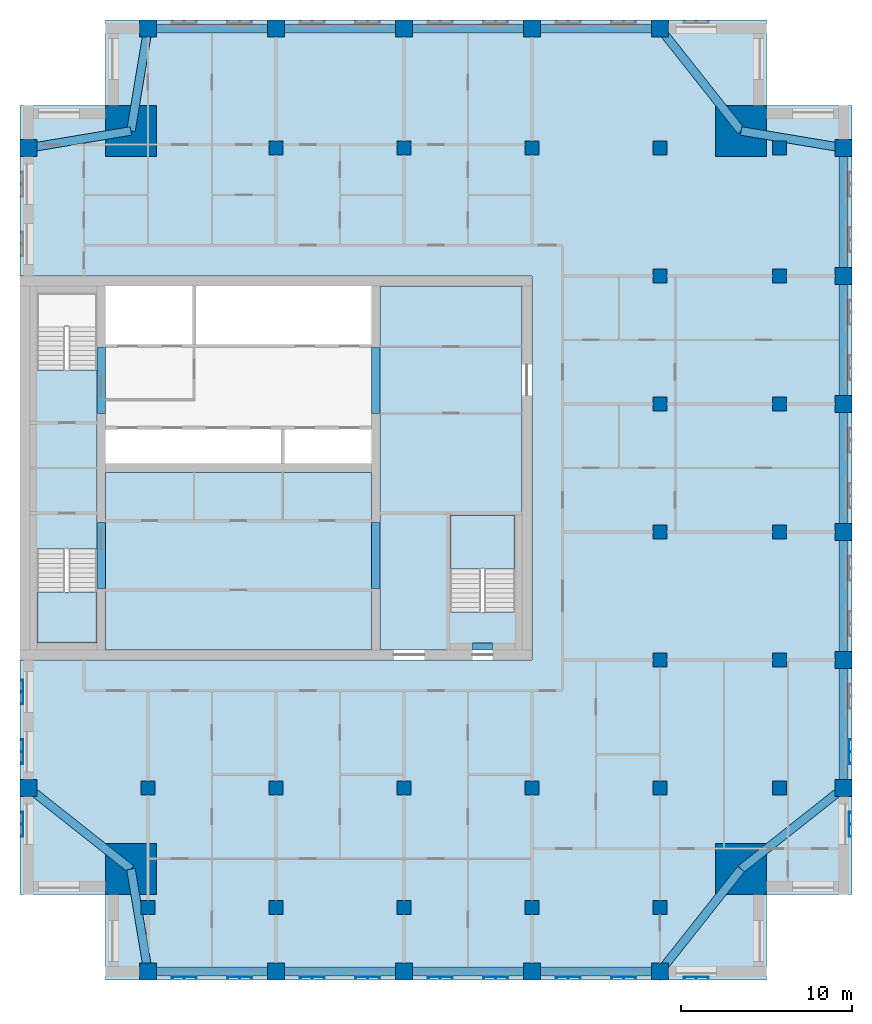
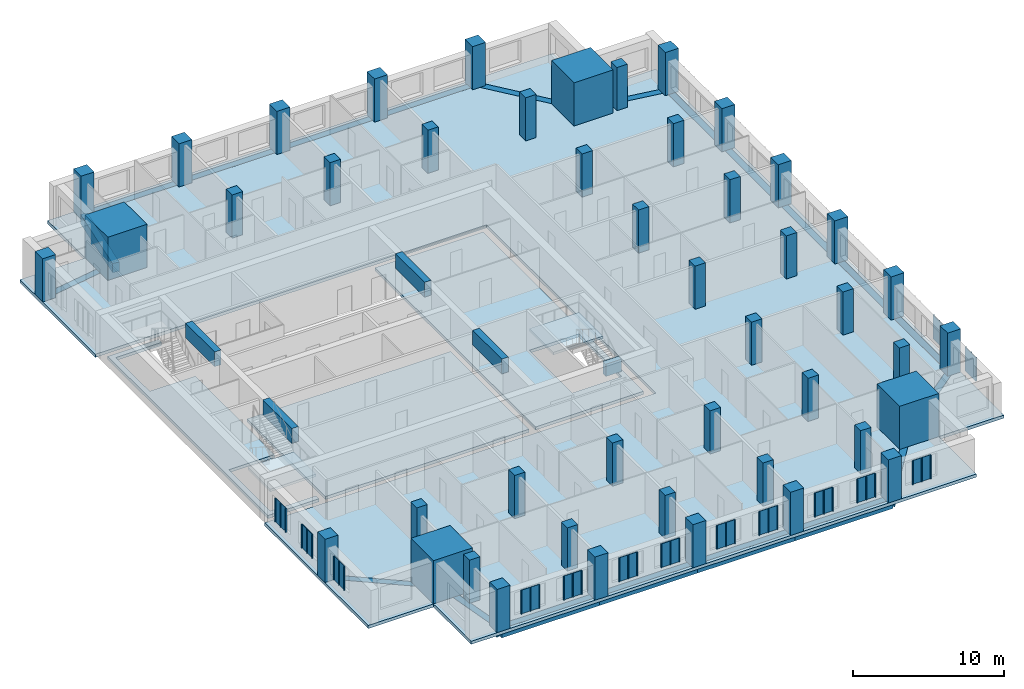
# One storey, part 1 of 11: 46 columns, 26 beams, 14 plates, 6 slabs, 2 elements without a shape of their own.
"""IFC4 building model written with IfcOpenShell, lengths in metres."""

from ifc_helpers import new_model, si_unit, direction, frame, origin, origin_2d, place, context, subcontext, project, spatial, polyline, rectangle, outline, extrude, material, layer, layer_set, material_profile, profile_set, type_object, element, aggregate, save


model = new_model("IFC4")

# Units and contexts
model_context = context("Model", 3, precision=1e-05, world=origin(), true_north=direction((0.0, 1.0)))
body_context = subcontext(model_context, "Body", "Model", "MODEL_VIEW")
ifc_project = project(units=[si_unit("LENGTHUNIT", "METRE"), si_unit("AREAUNIT", "SQUARE_METRE"), si_unit("VOLUMEUNIT", "CUBIC_METRE"), si_unit("PLANEANGLEUNIT", "RADIAN"), si_unit("MASSUNIT", "GRAM", prefix="KILO")], contexts=[model_context])

# Site, building, storey
site_placement = place(None, origin())
site = spatial("IfcSite", under=ifc_project, at=site_placement, CompositionType="ELEMENT")
building_placement = place(site_placement, origin())
building = spatial("IfcBuilding", under=site, at=building_placement, Name="Tamorin Gate", CompositionType="ELEMENT")
storey_placement = place(building_placement, frame((0.0, 0.0, 240.699951171875)))
storey = spatial("IfcBuildingStorey", under=building, at=storey_placement, Name="L60", CompositionType="ELEMENT", Elevation=240.699951171875)

# Columns
ifc_material_1 = material(Name="Concrete C50/60", Category="concrete")
ifc_material_profile_1 = material_profile(ifc_material_1, rectangle(XDim=1.0, YDim=1.0, at=origin_2d()), Name="RC 1000x1000")
ifc_profile_set_1 = profile_set([ifc_material_profile_1], Name="Concrete C50/60")
column_type_1 = type_object("IfcColumnType", Name="RC column 1000x1000 C50/60", PredefinedType="COLUMN", material=ifc_profile_set_1)
for number, where, z_axis, x_axis, name in (
    (1, (37.5, 41.75, 0.0), (0.0, 0.0, 1.0), (1.0, 0.0, 0.0), "Ring column L60"),
    (2, (45.0, 41.75, 0.0), (0.0, 0.0, 1.0), (1.0, 0.0, 0.0), "Ring column L60"),
    (3, (52.5, 41.75, 0.0), (0.0, 0.0, 1.0), (1.0, 0.0, 0.0), "Ring column L60"),
    (4, (60.0, 41.75, 0.0), (0.0, 0.0, 1.0), (1.0, 0.0, 0.0), "Ring column L60"),
    (5, (67.5, 41.75, 0.0), (0.0, 0.0, 1.0), (1.0, 0.0, 0.0), "Ring column L60"),
    (6, (78.25, 52.5, 0.0), (0.0, 0.0, 1.0), (1.0, 0.0, 0.0), "Ring column L60"),
    (7, (78.25, 60.0, 0.0), (0.0, 0.0, 1.0), (1.0, 0.0, 0.0), "Ring column L60"),
    (8, (78.25, 67.5, 0.0), (0.0, 0.0, 1.0), (1.0, 0.0, 0.0), "Ring column L60"),
    (9, (78.25, 75.0, 0.0), (0.0, 0.0, 1.0), (1.0, 0.0, 0.0), "Ring column L60"),
    (10, (78.25, 82.5, 0.0), (0.0, 0.0, 1.0), (1.0, 0.0, 0.0), "Ring column L60"),
    (11, (78.25, 90.0, 0.0), (0.0, 0.0, 1.0), (1.0, 0.0, 0.0), "Ring column L60"),
    (12, (30.5, 52.5, 0.0), (0.0, 0.0, 1.0), (1.0, 0.0, 0.0), "Ring column L60"),
    (13, (30.5, 90.0, 0.0), (0.0, 0.0, 1.0), (1.0, 0.0, 0.0), "Ring column L60"),
    (14, (37.5, 97.0, 0.0), (0.0, 0.0, 1.0), (1.0, 0.0, 0.0), "Ring column L60"),
    (15, (45.0, 97.0, 0.0), (0.0, 0.0, 1.0), (1.0, 0.0, 0.0), "Ring column L60"),
    (16, (52.5, 97.0, 0.0), (0.0, 0.0, 1.0), (1.0, 0.0, 0.0), "Ring column L60"),
    (17, (60.0, 97.0, 0.0), (0.0, 0.0, 1.0), (1.0, 0.0, 0.0), "Ring column L60"),
    (18, (67.5, 97.0, 0.0), (0.0, 0.0, 1.0), (1.0, 0.0, 0.0), "Ring column L60"),
):
    element("IfcColumn", number, at=place(storey_placement, frame(where, z_axis=z_axis, x_axis=x_axis)), inside=storey, type_object=column_type_1, Name=name, PredefinedType="COLUMN", context=body_context, shape_type="SweptSolid", body=[
        extrude(rectangle(XDim=1.0, YDim=1.0, at=origin_2d()), origin(), (0.0, 0.0, 1.0), 3.5),
    ])
ifc_material_profile_2 = material_profile(ifc_material_1, rectangle(XDim=3.0, YDim=3.0, at=origin_2d()), Name="RC 3000x3000")
ifc_profile_set_2 = profile_set([ifc_material_profile_2], Name="Concrete C50/60")
column_type_2 = type_object("IfcColumnType", Name="RC column 3000x3000 C50/60", PredefinedType="COLUMN", material=ifc_profile_set_2)
for number, where, z_axis, x_axis, name in (
    (19, (36.5, 47.75, 0.0), (0.0, 0.0, 1.0), (1.0, 0.0, 0.0), "Mega column SW L60"),
    (20, (72.25, 47.75, 0.0), (0.0, 0.0, 1.0), (1.0, 0.0, 0.0), "Mega column SE L60"),
    (21, (36.5, 91.0, 0.0), (0.0, 0.0, 1.0), (1.0, 0.0, 0.0), "Mega column NW L60"),
    (22, (72.25, 91.0, 0.0), (0.0, 0.0, 1.0), (1.0, 0.0, 0.0), "Mega column NE L60"),
):
    element("IfcColumn", number, at=place(storey_placement, frame(where, z_axis=z_axis, x_axis=x_axis)), inside=storey, type_object=column_type_2, Name=name, PredefinedType="COLUMN", context=body_context, shape_type="SweptSolid", body=[
        extrude(rectangle(XDim=3.0, YDim=3.0, at=origin_2d()), origin(), (0.0, 0.0, 1.0), 3.5),
    ])
ifc_material_profile_3 = material_profile(ifc_material_1, rectangle(XDim=0.800048828125, YDim=0.800048828125, at=origin_2d()), Name="RC 800x800")
ifc_profile_set_3 = profile_set([ifc_material_profile_3], Name="Concrete C50/60")
column_type_3 = type_object("IfcColumnType", Name="RC column 800x800 C50/60", PredefinedType="COLUMN", material=ifc_profile_set_3)
for number, where, z_axis, x_axis, name in (
    (23, (37.5, 45.5, 0.0), (0.0, 0.0, 1.0), (1.0, 0.0, 0.0), "Interior column L60"),
    (24, (37.5, 52.5, 0.0), (0.0, 0.0, 1.0), (1.0, 0.0, 0.0), "Interior column L60"),
    (25, (45.0, 45.5, 0.0), (0.0, 0.0, 1.0), (1.0, 0.0, 0.0), "Interior column L60"),
    (26, (45.0, 52.5, 0.0), (0.0, 0.0, 1.0), (1.0, 0.0, 0.0), "Interior column L60"),
    (27, (45.0, 90.0, 0.0), (0.0, 0.0, 1.0), (1.0, 0.0, 0.0), "Interior column L60"),
    (28, (52.5, 45.5, 0.0), (0.0, 0.0, 1.0), (1.0, 0.0, 0.0), "Interior column L60"),
    (29, (52.5, 52.5, 0.0), (0.0, 0.0, 1.0), (1.0, 0.0, 0.0), "Interior column L60"),
    (30, (52.5, 90.0, 0.0), (0.0, 0.0, 1.0), (1.0, 0.0, 0.0), "Interior column L60"),
    (31, (60.0, 45.5, 0.0), (0.0, 0.0, 1.0), (1.0, 0.0, 0.0), "Interior column L60"),
    (32, (60.0, 52.5, 0.0), (0.0, 0.0, 1.0), (1.0, 0.0, 0.0), "Interior column L60"),
    (33, (60.0, 90.0, 0.0), (0.0, 0.0, 1.0), (1.0, 0.0, 0.0), "Interior column L60"),
    (34, (67.5, 45.5, 0.0), (0.0, 0.0, 1.0), (1.0, 0.0, 0.0), "Interior column L60"),
    (35, (67.5, 52.5, 0.0), (0.0, 0.0, 1.0), (1.0, 0.0, 0.0), "Interior column L60"),
    (36, (67.5, 60.0, 0.0), (0.0, 0.0, 1.0), (1.0, 0.0, 0.0), "Interior column L60"),
    (37, (67.5, 67.5, 0.0), (0.0, 0.0, 1.0), (1.0, 0.0, 0.0), "Interior column L60"),
    (38, (67.5, 75.0, 0.0), (0.0, 0.0, 1.0), (1.0, 0.0, 0.0), "Interior column L60"),
    (39, (67.5, 82.5, 0.0), (0.0, 0.0, 1.0), (1.0, 0.0, 0.0), "Interior column L60"),
    (40, (67.5, 90.0, 0.0), (0.0, 0.0, 1.0), (1.0, 0.0, 0.0), "Interior column L60"),
    (41, (74.5, 52.5, 0.0), (0.0, 0.0, 1.0), (1.0, 0.0, 0.0), "Interior column L60"),
    (42, (74.5, 60.0, 0.0), (0.0, 0.0, 1.0), (1.0, 0.0, 0.0), "Interior column L60"),
    (43, (74.5, 67.5, 0.0), (0.0, 0.0, 1.0), (1.0, 0.0, 0.0), "Interior column L60"),
    (44, (74.5, 75.0, 0.0), (0.0, 0.0, 1.0), (1.0, 0.0, 0.0), "Interior column L60"),
    (45, (74.5, 82.5, 0.0), (0.0, 0.0, 1.0), (1.0, 0.0, 0.0), "Interior column L60"),
    (46, (74.5, 90.0, 0.0), (0.0, 0.0, 1.0), (1.0, 0.0, 0.0), "Interior column L60"),
):
    element("IfcColumn", number, at=place(storey_placement, frame(where, z_axis=z_axis, x_axis=x_axis)), inside=storey, type_object=column_type_3, Name=name, PredefinedType="COLUMN", context=body_context, shape_type="SweptSolid", body=[
        extrude(rectangle(XDim=0.800048828125, YDim=0.800048828125, at=origin_2d()), origin(), (0.0, 0.0, 1.0), 3.5),
    ])

# Beams
ifc_material_profile_4 = material_profile(ifc_material_1, rectangle(XDim=0.5, YDim=1.199951171875, at=origin_2d()), Name="RC 500x1200")
ifc_profile_set_4 = profile_set([ifc_material_profile_4], Name="Concrete C50/60")
beam_type_1 = type_object("IfcBeamType", Name="RC coupling beam 500x1200 C50/60", PredefinedType="BEAM", material=ifc_profile_set_4)
for number, where, z_axis, x_axis, name in (
    (47, (34.75, 64.199951171875, 2.900146484375), (0.0, 1.0, 0.0), (-1.0, 0.0, 0.0), "Coupling beam L60"),
    (48, (34.75, 74.449951171875, 2.900146484375), (0.0, 1.0, 0.0), (-1.0, 0.0, 0.0), "Coupling beam L60"),
    (49, (50.85009765625, 64.199951171875, 2.900146484375), (0.0, 1.0, 0.0), (-1.0, 0.0, 0.0), "Coupling beam L60"),
    (50, (50.85009765625, 74.449951171875, 2.900146484375), (0.0, 1.0, 0.0), (-1.0, 0.0, 0.0), "Coupling beam L60"),
):
    element("IfcBeam", number, at=place(storey_placement, frame(where, z_axis=z_axis, x_axis=x_axis)), inside=storey, type_object=beam_type_1, Name=name, PredefinedType="BEAM", context=body_context, shape_type="SweptSolid", body=[
        extrude(rectangle(XDim=0.5, YDim=1.199951171875, at=origin_2d()), origin(), (0.0, 0.0, 1.0), 3.85009765625),
    ])
ifc_material_profile_5 = material_profile(ifc_material_1, rectangle(XDim=0.5, YDim=0.75, at=origin_2d()), Name="RC 500x750")
ifc_profile_set_5 = profile_set([ifc_material_profile_5], Name="Concrete C50/60")
beam_type_2 = type_object("IfcBeamType", Name="RC spandrel 500x750 C50/60", PredefinedType="BEAM", material=ifc_profile_set_5)
for number, where, z_axis, x_axis, name in (
    (51, (37.5, 41.75, -0.375), (1.0, 0.0, 0.0), (0.0, 1.0, 0.0), "Spandrel beam L60"),
    (52, (45.0, 41.75, -0.375), (1.0, 0.0, 0.0), (0.0, 1.0, 0.0), "Spandrel beam L60"),
    (53, (52.5, 41.75, -0.375), (1.0, 0.0, 0.0), (0.0, 1.0, 0.0), "Spandrel beam L60"),
    (54, (60.0, 41.75, -0.375), (1.0, 0.0, 0.0), (0.0, 1.0, 0.0), "Spandrel beam L60"),
    (55, (78.25, 52.5, -0.375), (0.0, 1.0, 0.0), (-1.0, 0.0, 0.0), "Spandrel beam L60"),
    (56, (78.25, 60.0, -0.375), (0.0, 1.0, 0.0), (-1.0, 0.0, 0.0), "Spandrel beam L60"),
    (57, (78.25, 67.5, -0.375), (0.0, 1.0, 0.0), (-1.0, 0.0, 0.0), "Spandrel beam L60"),
    (58, (78.25, 75.0, -0.375), (0.0, 1.0, 0.0), (-1.0, 0.0, 0.0), "Spandrel beam L60"),
    (59, (78.25, 82.5, -0.375), (0.0, 1.0, 0.0), (-1.0, 0.0, 0.0), "Spandrel beam L60"),
    (60, (67.5, 97.0, -0.375), (-1.0, 0.0, 0.0), (0.0, -1.0, 0.0), "Spandrel beam L60"),
    (61, (60.0, 97.0, -0.375), (-1.0, 0.0, 0.0), (0.0, -1.0, 0.0), "Spandrel beam L60"),
    (62, (52.5, 97.0, -0.375), (-1.0, 0.0, 0.0), (0.0, -1.0, 0.0), "Spandrel beam L60"),
    (63, (45.0, 97.0, -0.375), (-1.0, 0.0, 0.0), (0.0, -1.0, 0.0), "Spandrel beam L60"),
):
    element("IfcBeam", number, at=place(storey_placement, frame(where, z_axis=z_axis, x_axis=x_axis)), inside=storey, type_object=beam_type_2, Name=name, PredefinedType="BEAM", context=body_context, shape_type="SweptSolid", body=[
        extrude(rectangle(XDim=0.5, YDim=0.75, at=origin_2d()), origin(), (0.0, 0.0, 1.0), 7.5),
    ])
beam_1_placement = place(storey_placement, frame((36.5, 47.75, -0.375), z_axis=(0.164398987305, -0.986393923832, 0.0), x_axis=(0.986393923832, 0.164398987305, 0.0)))
element("IfcBeam", 64, at=beam_1_placement, inside=storey, type_object=beam_type_2, Name="Corner tie beam L60", PredefinedType="BEAM", context=body_context, shape_type="SweptSolid", body=[
    extrude(rectangle(XDim=0.5, YDim=0.75, at=origin_2d()), origin(), (0.0, 0.0, 1.0), 6.082763671875),
])
for number, where, z_axis, x_axis, name in (
    (65, (36.5, 47.75, -0.375), (-0.784045824462, 0.620702944366, 0.0), (-0.620702944366, -0.784045824462, 0.0), "Corner tie beam L60"),
    (66, (72.25, 47.75, -0.375), (-0.620702944366, -0.784045824462, 0.0), (0.784045824462, -0.620702944366, 0.0), "Corner tie beam L60"),
    (67, (72.25, 47.75, -0.375), (0.784045824462, 0.620702944366, 0.0), (-0.620702944366, 0.784045824462, 0.0), "Corner tie beam L60"),
):
    element("IfcBeam", number, at=place(storey_placement, frame(where, z_axis=z_axis, x_axis=x_axis)), inside=storey, type_object=beam_type_2, Name=name, PredefinedType="BEAM", context=body_context, shape_type="SweptSolid", body=[
        extrude(rectangle(XDim=0.5, YDim=0.75, at=origin_2d()), origin(), (0.0, 0.0, 1.0), 7.652587890625),
    ])
for number, where, z_axis, x_axis, name in (
    (68, (36.5, 91.0, -0.375), (-0.986393923832, -0.164398987305, 0.0), (0.164398987305, -0.986393923832, 0.0), "Corner tie beam L60"),
    (69, (36.5, 91.0, -0.375), (0.164398987305, 0.986393923832, 0.0), (-0.986393923832, 0.164398987305, 0.0), "Corner tie beam L60"),
    (70, (72.25, 91.0, -0.375), (0.986393923832, -0.164398987305, 0.0), (0.164398987305, 0.986393923832, 0.0), "Corner tie beam L60"),
):
    element("IfcBeam", number, at=place(storey_placement, frame(where, z_axis=z_axis, x_axis=x_axis)), inside=storey, type_object=beam_type_2, Name=name, PredefinedType="BEAM", context=body_context, shape_type="SweptSolid", body=[
        extrude(rectangle(XDim=0.5, YDim=0.75, at=origin_2d()), origin(), (0.0, 0.0, 1.0), 6.082763671875),
    ])
beam_2_placement = place(storey_placement, frame((72.25, 91.0, -0.375), z_axis=(-0.620702944366, 0.784045824462, 0.0), x_axis=(-0.784045824462, -0.620702944366, 0.0)))
element("IfcBeam", 71, at=beam_2_placement, inside=storey, type_object=beam_type_2, Name="Corner tie beam L60", PredefinedType="BEAM", context=body_context, shape_type="SweptSolid", body=[
    extrude(rectangle(XDim=0.5, YDim=0.75, at=origin_2d()), origin(), (0.0, 0.0, 1.0), 7.652587890625),
])
ifc_material_profile_6 = material_profile(ifc_material_1, rectangle(XDim=0.39990234375, YDim=1.0, at=origin_2d()))
ifc_profile_set_6 = profile_set([ifc_material_profile_6], Name="Concrete C50/60")
beam_type_3 = type_object("IfcBeamType", Name="Stair lintel 400x1000 C50/60", PredefinedType="BEAM", material=ifc_profile_set_6)
beam_3_placement = place(storey_placement, frame((56.5, 60.800048828125, 2.699951171875), z_axis=(1.0, 0.0, 0.0), x_axis=(0.0, 1.0, 0.0)))
element("IfcBeam", 72, at=beam_3_placement, inside=storey, type_object=beam_type_3, Name="Stair lintel", PredefinedType="BEAM", context=body_context, shape_type="SweptSolid", body=[
    extrude(rectangle(XDim=0.39990234375, YDim=1.0, at=origin_2d()), origin(), (0.0, 0.0, 1.0), 1.199951171875),
])

# Slabs
ifc_material_2 = material(Name="Concrete C40/50", Category="concrete")
ifc_layer_1 = layer(ifc_material_2, 0.25)
ifc_layer_set_1 = layer_set([ifc_layer_1], Name="Core floor slab 250 C40/50")
slab_type_1 = type_object("IfcSlabType", Name="Core floor slab 250 C40/50", PredefinedType="FLOOR", material=ifc_layer_set_1)
slab_1_placement = place(storey_placement, frame((0.0, 0.0, -0.25)))
element("IfcSlab", 73, at=slab_1_placement, inside=storey, type_object=slab_type_1, Name="Core floor L60", PredefinedType="FLOOR", context=body_context, shape_type="SweptSolid", body=[
    extrude(outline(polyline([(51.10009765625, 81.89990234375), (59.39990234375, 81.89990234375), (59.39990234375, 60.60009765625), (51.10009765625, 60.60009765625), (51.10009765625, 81.89990234375)]), holes=[polyline([(55.199951171875, 62.800048828125), (59.0, 62.800048828125), (59.0, 68.5), (55.199951171875, 68.5), (55.199951171875, 62.800048828125)])]), origin(), (0.0, 0.0, 1.0), 0.25),
])
slab_2_placement = place(storey_placement, frame((0.0, 0.0, -0.25)))
element("IfcSlab", 74, at=slab_2_placement, inside=storey, type_object=slab_type_1, Name="Core floor L60", PredefinedType="FLOOR", context=body_context, shape_type="SweptSolid", body=[
    extrude(outline(polyline([(50.60009765625, 71.0), (50.60009765625, 60.60009765625), (35.0, 60.60009765625), (35.0, 71.0), (50.60009765625, 71.0)])), origin(), (0.0, 0.0, 1.0), 0.25),
])
slab_3_placement = place(storey_placement, frame((0.0, 0.0, -0.25)))
element("IfcSlab", 75, at=slab_3_placement, inside=storey, type_object=slab_type_1, Name="Core floor L60", PredefinedType="FLOOR", context=body_context, shape_type="SweptSolid", body=[
    extrude(outline(polyline([(34.5, 60.60009765625), (30.60009765625, 60.60009765625), (30.60009765625, 81.89990234375), (34.5, 81.89990234375), (34.5, 81.5), (31.0, 81.5), (31.0, 77.0), (34.5, 77.0), (34.5, 66.5), (31.0, 66.5), (31.0, 61.0), (34.5, 61.0), (34.5, 60.60009765625)])), origin(), (0.0, 0.0, 1.0), 0.25),
])

# Stair, slab
stair_type = type_object("IfcStairType", Name="Exit stair", PredefinedType="HALF_TURN_STAIR", material=ifc_material_2)
stair_1_placement = place(storey_placement, origin())
stair_1 = element("IfcStair", 76, at=stair_1_placement, inside=storey, type_object=stair_type, Name="L60 stair ST1", PredefinedType="HALF_TURN_STAIR")
ifc_layer_2 = layer(ifc_material_2, 0.199951171875)
ifc_layer_set_2 = layer_set([ifc_layer_2], Name="Exit stair landing 200")
slab_type_2 = type_object("IfcSlabType", Name="Exit stair landing 200", PredefinedType="LANDING", material=ifc_layer_set_2)
slab_4_placement = place(storey_placement, frame((0.0, 0.0, 1.550048828125)))
slab_4 = element("IfcSlab", 77, at=slab_4_placement, type_object=slab_type_2, Name="ST1 landing 1", PredefinedType="LANDING", context=body_context, shape_type="SweptSolid", body=[
    extrude(outline(polyline([(31.0, 63.97998046875), (31.0, 61.0), (34.5, 61.0), (34.5, 63.97998046875), (31.0, 63.97998046875)])), origin(), (0.0, 0.0, 1.0), 0.199951171875),
])
aggregate(stair_1, [slab_4])

stair_2_placement = place(storey_placement, origin())
stair_2 = element("IfcStair", 78, at=stair_2_placement, inside=storey, type_object=stair_type, Name="L60 stair ST3", PredefinedType="HALF_TURN_STAIR")
slab_5_placement = place(storey_placement, frame((0.0, 0.0, 1.550048828125)))
slab_5 = element("IfcSlab", 79, at=slab_5_placement, type_object=slab_type_2, Name="ST3 landing 1", PredefinedType="LANDING", context=body_context, shape_type="SweptSolid", body=[
    extrude(outline(polyline([(59.0, 65.320068359375), (59.0, 68.5), (55.199951171875, 68.5), (55.199951171875, 65.320068359375), (59.0, 65.320068359375)])), origin(), (0.0, 0.0, 1.0), 0.199951171875),
])
aggregate(stair_2, [slab_5])

# Slab
ifc_layer_3 = layer(ifc_material_2, 0.25)
ifc_layer_set_3 = layer_set([ifc_layer_3], Name="Floor slab 250 C40/50")
slab_type_3 = type_object("IfcSlabType", Name="Floor slab 250 C40/50", PredefinedType="FLOOR", material=ifc_layer_set_3)
slab_6_placement = place(storey_placement, frame((0.0, 0.0, -0.25)))
element("IfcSlab", 80, at=slab_6_placement, inside=storey, type_object=slab_type_3, Name="Floor L60", PredefinedType="FLOOR", context=body_context, shape_type="SweptSolid", body=[
    extrude(outline(polyline([(30.0, 92.5), (35.0, 92.5), (35.0, 97.5), (73.75, 97.5), (73.75, 92.5), (78.75, 92.5), (78.75, 46.25), (73.75, 46.25), (73.75, 41.25), (35.0, 41.25), (35.0, 46.25), (30.0, 46.25), (30.0, 60.0), (60.0, 60.0), (60.0, 82.5), (30.0, 82.5), (30.0, 92.5)])), origin(), (0.0, 0.0, 1.0), 0.25),
])

# Plates
ifc_material_3 = material(Name="Perforated pale aluminium sheet", Category="aluminium")
ifc_layer_4 = layer(ifc_material_3, 0.0400390625)
ifc_layer_set_4 = layer_set([ifc_layer_4], Name="Pale metal solar screen 1440")
plate_type = type_object("IfcPlateType", Name="Pale metal solar screen 1440", PredefinedType="SHEET", material=ifc_layer_set_4)
plate_1_placement = place(storey_placement, frame((0.0, 0.0, 0.737548828125)))
element("IfcPlate", 81, at=plate_1_placement, inside=storey, type_object=plate_type, Name="Perforated solar screen", PredefinedType="SHEET", context=body_context, shape_type="SweptSolid", body=[
    extrude(outline(polyline([(38.905029296875, 41.409912109375), (38.905029296875, 41.449951171875), (38.965087890625, 41.449951171875), (39.594970703125, 41.449951171875), (39.655029296875, 41.449951171875), (40.284912109375, 41.449951171875), (40.344970703125, 41.449951171875), (40.344970703125, 41.449951171875), (40.344970703125, 41.409912109375), (40.344970703125, 41.409912109375), (40.344970703125, 41.35009765625), (40.284912109375, 41.35009765625), (40.284912109375, 41.409912109375), (39.655029296875, 41.409912109375), (39.655029296875, 41.35009765625), (39.594970703125, 41.35009765625), (39.594970703125, 41.409912109375), (38.965087890625, 41.409912109375), (38.965087890625, 41.35009765625), (38.905029296875, 41.35009765625), (38.905029296875, 41.409912109375)])), origin(), (0.0, 0.0, 1.0), 1.925048828125),
])
plate_2_placement = place(storey_placement, frame((0.0, 0.0, 0.737548828125)))
element("IfcPlate", 82, at=plate_2_placement, inside=storey, type_object=plate_type, Name="Perforated solar screen", PredefinedType="SHEET", context=body_context, shape_type="SweptSolid", body=[
    extrude(outline(polyline([(42.155029296875, 41.409912109375), (42.155029296875, 41.449951171875), (42.215087890625, 41.449951171875), (42.844970703125, 41.449951171875), (42.905029296875, 41.449951171875), (43.534912109375, 41.449951171875), (43.594970703125, 41.449951171875), (43.594970703125, 41.409912109375), (43.594970703125, 41.35009765625), (43.534912109375, 41.35009765625), (43.534912109375, 41.409912109375), (42.905029296875, 41.409912109375), (42.905029296875, 41.35009765625), (42.844970703125, 41.35009765625), (42.844970703125, 41.409912109375), (42.215087890625, 41.409912109375), (42.215087890625, 41.35009765625), (42.155029296875, 41.35009765625), (42.155029296875, 41.409912109375)])), origin(), (0.0, 0.0, 1.0), 1.925048828125),
])
plate_3_placement = place(storey_placement, frame((0.0, 0.0, 0.737548828125)))
element("IfcPlate", 83, at=plate_3_placement, inside=storey, type_object=plate_type, Name="Perforated solar screen", PredefinedType="SHEET", context=body_context, shape_type="SweptSolid", body=[
    extrude(outline(polyline([(46.405029296875, 41.409912109375), (46.405029296875, 41.449951171875), (46.465087890625, 41.449951171875), (47.094970703125, 41.449951171875), (47.155029296875, 41.449951171875), (47.784912109375, 41.449951171875), (47.844970703125, 41.449951171875), (47.844970703125, 41.409912109375), (47.844970703125, 41.35009765625), (47.784912109375, 41.35009765625), (47.784912109375, 41.409912109375), (47.155029296875, 41.409912109375), (47.155029296875, 41.35009765625), (47.094970703125, 41.35009765625), (47.094970703125, 41.409912109375), (46.465087890625, 41.409912109375), (46.465087890625, 41.35009765625), (46.405029296875, 41.35009765625), (46.405029296875, 41.409912109375)])), origin(), (0.0, 0.0, 1.0), 1.925048828125),
])
plate_4_placement = place(storey_placement, frame((0.0, 0.0, 0.737548828125)))
element("IfcPlate", 84, at=plate_4_placement, inside=storey, type_object=plate_type, Name="Perforated solar screen", PredefinedType="SHEET", context=body_context, shape_type="SweptSolid", body=[
    extrude(outline(polyline([(49.655029296875, 41.409912109375), (49.655029296875, 41.449951171875), (49.715087890625, 41.449951171875), (50.344970703125, 41.449951171875), (50.405029296875, 41.449951171875), (51.034912109375, 41.449951171875), (51.094970703125, 41.449951171875), (51.094970703125, 41.409912109375), (51.094970703125, 41.35009765625), (51.034912109375, 41.35009765625), (51.034912109375, 41.409912109375), (50.405029296875, 41.409912109375), (50.405029296875, 41.35009765625), (50.344970703125, 41.35009765625), (50.344970703125, 41.409912109375), (49.715087890625, 41.409912109375), (49.715087890625, 41.35009765625), (49.655029296875, 41.35009765625), (49.655029296875, 41.409912109375)])), origin(), (0.0, 0.0, 1.0), 1.925048828125),
])
plate_5_placement = place(storey_placement, frame((0.0, 0.0, 0.737548828125)))
element("IfcPlate", 85, at=plate_5_placement, inside=storey, type_object=plate_type, Name="Perforated solar screen", PredefinedType="SHEET", context=body_context, shape_type="SweptSolid", body=[
    extrude(outline(polyline([(53.905029296875, 41.409912109375), (53.905029296875, 41.449951171875), (53.965087890625, 41.449951171875), (54.594970703125, 41.449951171875), (54.655029296875, 41.449951171875), (55.284912109375, 41.449951171875), (55.344970703125, 41.449951171875), (55.344970703125, 41.409912109375), (55.344970703125, 41.35009765625), (55.284912109375, 41.35009765625), (55.284912109375, 41.409912109375), (54.655029296875, 41.409912109375), (54.655029296875, 41.35009765625), (54.594970703125, 41.35009765625), (54.594970703125, 41.409912109375), (53.965087890625, 41.409912109375), (53.965087890625, 41.35009765625), (53.905029296875, 41.35009765625), (53.905029296875, 41.409912109375)])), origin(), (0.0, 0.0, 1.0), 1.925048828125),
])
plate_6_placement = place(storey_placement, frame((0.0, 0.0, 0.737548828125)))
element("IfcPlate", 86, at=plate_6_placement, inside=storey, type_object=plate_type, Name="Perforated solar screen", PredefinedType="SHEET", context=body_context, shape_type="SweptSolid", body=[
    extrude(outline(polyline([(57.155029296875, 41.409912109375), (57.155029296875, 41.449951171875), (57.215087890625, 41.449951171875), (57.844970703125, 41.449951171875), (57.905029296875, 41.449951171875), (58.534912109375, 41.449951171875), (58.594970703125, 41.449951171875), (58.594970703125, 41.409912109375), (58.594970703125, 41.35009765625), (58.534912109375, 41.35009765625), (58.534912109375, 41.409912109375), (57.905029296875, 41.409912109375), (57.905029296875, 41.35009765625), (57.844970703125, 41.35009765625), (57.844970703125, 41.409912109375), (57.215087890625, 41.409912109375), (57.215087890625, 41.35009765625), (57.155029296875, 41.35009765625), (57.155029296875, 41.409912109375)])), origin(), (0.0, 0.0, 1.0), 1.925048828125),
])
plate_7_placement = place(storey_placement, frame((0.0, 0.0, 0.737548828125)))
element("IfcPlate", 87, at=plate_7_placement, inside=storey, type_object=plate_type, Name="Perforated solar screen", PredefinedType="SHEET", context=body_context, shape_type="SweptSolid", body=[
    extrude(outline(polyline([(61.405029296875, 41.409912109375), (61.405029296875, 41.449951171875), (61.465087890625, 41.449951171875), (62.094970703125, 41.449951171875), (62.155029296875, 41.449951171875), (62.784912109375, 41.449951171875), (62.844970703125, 41.449951171875), (62.844970703125, 41.409912109375), (62.844970703125, 41.35009765625), (62.784912109375, 41.35009765625), (62.784912109375, 41.409912109375), (62.155029296875, 41.409912109375), (62.155029296875, 41.35009765625), (62.094970703125, 41.35009765625), (62.094970703125, 41.409912109375), (61.465087890625, 41.409912109375), (61.465087890625, 41.35009765625), (61.405029296875, 41.35009765625), (61.405029296875, 41.409912109375)])), origin(), (0.0, 0.0, 1.0), 1.925048828125),
])
plate_8_placement = place(storey_placement, frame((0.0, 0.0, 0.737548828125)))
element("IfcPlate", 88, at=plate_8_placement, inside=storey, type_object=plate_type, Name="Perforated solar screen", PredefinedType="SHEET", context=body_context, shape_type="SweptSolid", body=[
    extrude(outline(polyline([(64.655029296875, 41.409912109375), (64.655029296875, 41.449951171875), (64.715087890625, 41.449951171875), (65.344970703125, 41.449951171875), (65.405029296875, 41.449951171875), (66.034912109375, 41.449951171875), (66.094970703125, 41.449951171875), (66.094970703125, 41.409912109375), (66.094970703125, 41.35009765625), (66.034912109375, 41.35009765625), (66.034912109375, 41.409912109375), (65.405029296875, 41.409912109375), (65.405029296875, 41.35009765625), (65.344970703125, 41.35009765625), (65.344970703125, 41.409912109375), (64.715087890625, 41.409912109375), (64.715087890625, 41.35009765625), (64.655029296875, 41.35009765625), (64.655029296875, 41.409912109375)])), origin(), (0.0, 0.0, 1.0), 1.925048828125),
])
plate_9_placement = place(storey_placement, frame((0.0, 0.0, 0.737548828125)))
element("IfcPlate", 89, at=plate_9_placement, inside=storey, type_object=plate_type, Name="Perforated solar screen", PredefinedType="SHEET", context=body_context, shape_type="SweptSolid", body=[
    extrude(outline(polyline([(68.905029296875, 41.409912109375), (68.905029296875, 41.449951171875), (68.965087890625, 41.449951171875), (69.594970703125, 41.449951171875), (69.655029296875, 41.449951171875), (70.284912109375, 41.449951171875), (70.344970703125, 41.449951171875), (70.344970703125, 41.409912109375), (70.344970703125, 41.35009765625), (70.284912109375, 41.35009765625), (70.284912109375, 41.409912109375), (69.655029296875, 41.409912109375), (69.655029296875, 41.35009765625), (69.594970703125, 41.35009765625), (69.594970703125, 41.409912109375), (68.965087890625, 41.409912109375), (68.965087890625, 41.35009765625), (68.905029296875, 41.35009765625), (68.905029296875, 41.409912109375)])), origin(), (0.0, 0.0, 1.0), 1.925048828125),
])
plate_10_placement = place(storey_placement, frame((0.0, 0.0, 0.737548828125)))
element("IfcPlate", 90, at=plate_10_placement, inside=storey, type_object=plate_type, Name="Perforated solar screen", PredefinedType="SHEET", context=body_context, shape_type="SweptSolid", body=[
    extrude(outline(polyline([(78.590087890625, 49.655029296875), (78.550048828125, 49.655029296875), (78.550048828125, 49.715087890625), (78.550048828125, 50.344970703125), (78.550048828125, 50.405029296875), (78.550048828125, 51.034912109375), (78.550048828125, 51.094970703125), (78.550048828125, 51.094970703125), (78.590087890625, 51.094970703125), (78.590087890625, 51.094970703125), (78.64990234375, 51.094970703125), (78.64990234375, 51.034912109375), (78.590087890625, 51.034912109375), (78.590087890625, 50.405029296875), (78.64990234375, 50.405029296875), (78.64990234375, 50.344970703125), (78.590087890625, 50.344970703125), (78.590087890625, 49.715087890625), (78.64990234375, 49.715087890625), (78.64990234375, 49.655029296875), (78.590087890625, 49.655029296875)])), origin(), (0.0, 0.0, 1.0), 1.925048828125),
])
plate_11_placement = place(storey_placement, frame((0.0, 0.0, 0.737548828125)))
element("IfcPlate", 91, at=plate_11_placement, inside=storey, type_object=plate_type, Name="Perforated solar screen", PredefinedType="SHEET", context=body_context, shape_type="SweptSolid", body=[
    extrude(outline(polyline([(78.590087890625, 53.905029296875), (78.550048828125, 53.905029296875), (78.550048828125, 53.965087890625), (78.550048828125, 54.594970703125), (78.550048828125, 54.655029296875), (78.550048828125, 55.284912109375), (78.550048828125, 55.344970703125), (78.590087890625, 55.344970703125), (78.64990234375, 55.344970703125), (78.64990234375, 55.284912109375), (78.590087890625, 55.284912109375), (78.590087890625, 54.655029296875), (78.64990234375, 54.655029296875), (78.64990234375, 54.594970703125), (78.590087890625, 54.594970703125), (78.590087890625, 53.965087890625), (78.64990234375, 53.965087890625), (78.64990234375, 53.905029296875), (78.590087890625, 53.905029296875)])), origin(), (0.0, 0.0, 1.0), 1.925048828125),
])
plate_12_placement = place(storey_placement, frame((0.0, 0.0, 0.737548828125)))
element("IfcPlate", 92, at=plate_12_placement, inside=storey, type_object=plate_type, Name="Perforated solar screen", PredefinedType="SHEET", context=body_context, shape_type="SweptSolid", body=[
    extrude(outline(polyline([(30.159912109375, 55.344970703125), (30.199951171875, 55.344970703125), (30.199951171875, 55.284912109375), (30.199951171875, 54.655029296875), (30.199951171875, 54.594970703125), (30.199951171875, 53.965087890625), (30.199951171875, 53.905029296875), (30.159912109375, 53.905029296875), (30.10009765625, 53.905029296875), (30.10009765625, 53.965087890625), (30.159912109375, 53.965087890625), (30.159912109375, 54.594970703125), (30.10009765625, 54.594970703125), (30.10009765625, 54.655029296875), (30.159912109375, 54.655029296875), (30.159912109375, 55.284912109375), (30.10009765625, 55.284912109375), (30.10009765625, 55.344970703125), (30.159912109375, 55.344970703125)])), origin(), (0.0, 0.0, 1.0), 1.925048828125),
])
plate_13_placement = place(storey_placement, frame((0.0, 0.0, 0.737548828125)))
element("IfcPlate", 93, at=plate_13_placement, inside=storey, type_object=plate_type, Name="Perforated solar screen", PredefinedType="SHEET", context=body_context, shape_type="SweptSolid", body=[
    extrude(outline(polyline([(30.159912109375, 58.844970703125), (30.199951171875, 58.844970703125), (30.199951171875, 58.784912109375), (30.199951171875, 58.155029296875), (30.199951171875, 58.094970703125), (30.199951171875, 57.465087890625), (30.199951171875, 57.405029296875), (30.159912109375, 57.405029296875), (30.10009765625, 57.405029296875), (30.10009765625, 57.465087890625), (30.159912109375, 57.465087890625), (30.159912109375, 58.094970703125), (30.10009765625, 58.094970703125), (30.10009765625, 58.155029296875), (30.159912109375, 58.155029296875), (30.159912109375, 58.784912109375), (30.10009765625, 58.784912109375), (30.10009765625, 58.844970703125), (30.159912109375, 58.844970703125)])), origin(), (0.0, 0.0, 1.0), 1.925048828125),
])
plate_14_placement = place(storey_placement, frame((0.0, 0.0, 0.737548828125)))
element("IfcPlate", 94, at=plate_14_placement, inside=storey, type_object=plate_type, Name="Perforated solar screen", PredefinedType="SHEET", context=body_context, shape_type="SweptSolid", body=[
    extrude(outline(polyline([(30.159912109375, 51.094970703125), (30.199951171875, 51.094970703125), (30.199951171875, 51.034912109375), (30.199951171875, 50.405029296875), (30.199951171875, 50.344970703125), (30.199951171875, 49.715087890625), (30.199951171875, 49.655029296875), (30.159912109375, 49.655029296875), (30.10009765625, 49.655029296875), (30.10009765625, 49.715087890625), (30.159912109375, 49.715087890625), (30.159912109375, 50.344970703125), (30.10009765625, 50.344970703125), (30.10009765625, 50.405029296875), (30.159912109375, 50.405029296875), (30.159912109375, 51.034912109375), (30.10009765625, 51.034912109375), (30.10009765625, 51.094970703125), (30.159912109375, 51.094970703125)])), origin(), (0.0, 0.0, 1.0), 1.925048828125),
])

save(model, "model.ifc")
